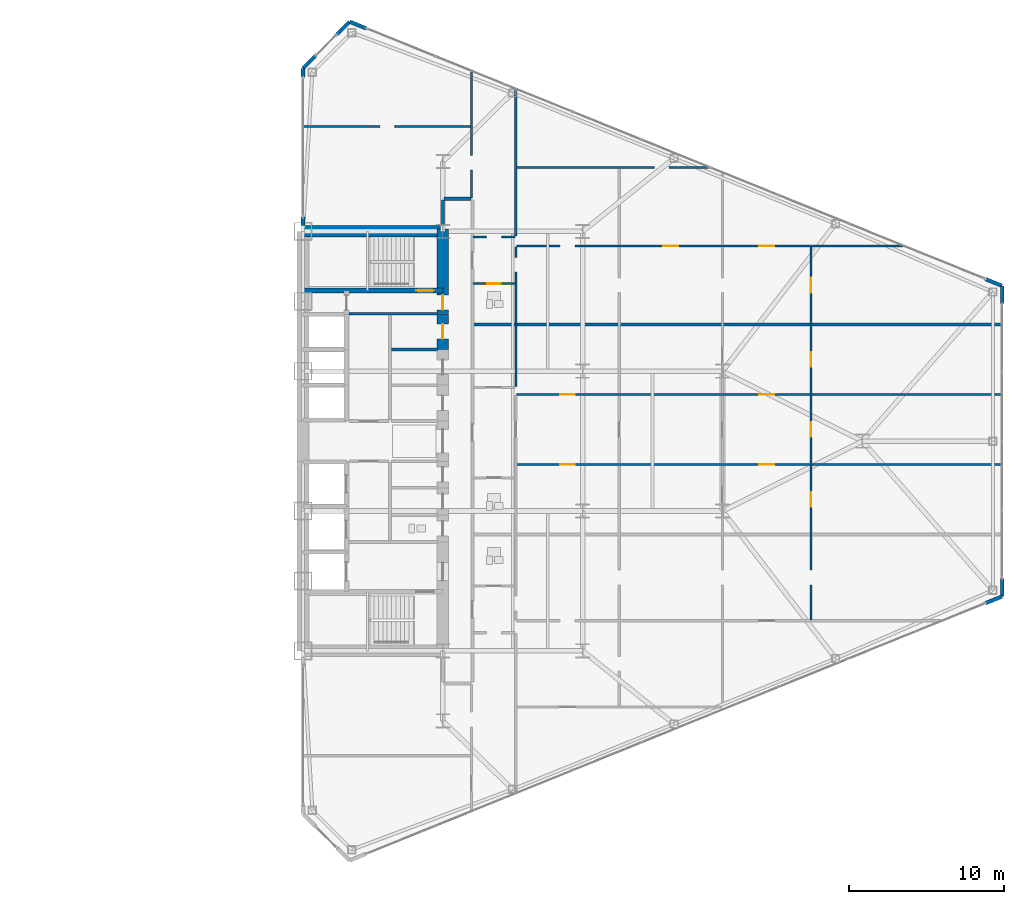
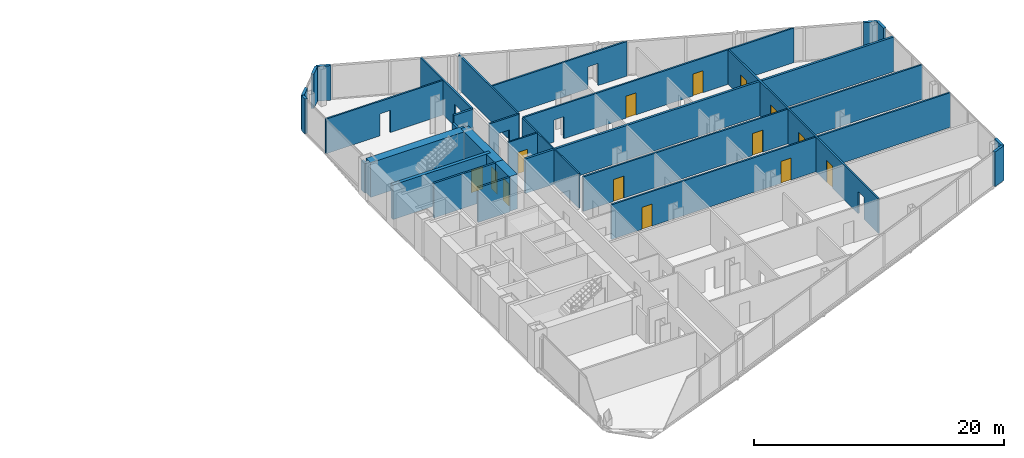
# One storey, part 22 of 25: 29 walls, 14 doors, 21 openings.
"""IFC4 building model written with IfcOpenShell, lengths in metres."""

import ifcopenshell
import ifcopenshell.guid

model = None  # the IFC model being written
_history = None  # IfcOwnerHistory: only IFC2X3 demands one
_inside = {}  # id of a spatial element -> (the spatial element, [elements in it])
_under = {}  # id of a project, library or spatial element -> (it, [spatial elements below it])
_declared = {}  # id of a project -> (the project, [libraries it declares])
_typed = {}  # id of a type object -> (the type object, [elements of that type])
_made_of = {}  # id of a material, layer set ... -> (it, [elements and type objects made of it])


def new_model(schema):
    """Start an empty IFC model of exactly this schema.

    Asked for "IFC4X3", IfcOpenShell would pick the latest addendum, in which some entities
    have other attributes; the version numbers below select the first issue.
    IFC2X3 requires an IfcOwnerHistory on every rooted entity: one is made here for all.
    """
    global model, _history
    if schema == "IFC4X3":
        model = ifcopenshell.file(schema_version=(4, 3, 0, 0))
    else:
        model = ifcopenshell.file(schema=schema)
    _inside.clear()
    _under.clear()
    _declared.clear()
    _typed.clear()
    _made_of.clear()
    _history = None
    if model.schema == "IFC2X3":
        org = make("IfcOrganization", Name="unknown")
        user = make(
            "IfcPersonAndOrganization",
            ThePerson=make("IfcPerson", FamilyName="unknown"),
            TheOrganization=org,
        )
        app = make(
            "IfcApplication",
            ApplicationDeveloper=org,
            Version="unknown",
            ApplicationFullName="unknown",
            ApplicationIdentifier="unknown",
        )
        _history = make(
            "IfcOwnerHistory",
            OwningUser=user,
            OwningApplication=app,
            ChangeAction="ADDED",
            CreationDate=0,
        )
    return model


def make(cls, **values):
    """One entity of the class cls with the attributes given. An attribute that is None is left unset."""
    return model.create_entity(
        cls, **{name: value for name, value in values.items() if value is not None}
    )


def rooted(cls, **values):
    """An entity with a GlobalId (a new one), such as an element, a storey or a relation."""
    return make(cls, GlobalId=ifcopenshell.guid.new(), OwnerHistory=_history, **values)


def si_unit(unit_type, name, prefix=None):
    """IfcSIUnit, for example si_unit("LENGTHUNIT", "METRE", prefix="MILLI")."""
    return make("IfcSIUnit", UnitType=unit_type, Prefix=prefix, Name=name)


def assignment(units):
    """IfcUnitAssignment: the units of a project."""
    return None if units is None else make("IfcUnitAssignment", Units=units)


def point(xyz):
    """IfcCartesianPoint."""
    return None if xyz is None else make("IfcCartesianPoint", Coordinates=xyz)


def direction(xyz):
    """IfcDirection."""
    return None if xyz is None else make("IfcDirection", DirectionRatios=xyz)


def frame(location, z_axis=None, x_axis=None):
    """IfcAxis2Placement3D, a coordinate frame: its origin and axes. An axis left out is left unset."""
    return make(
        "IfcAxis2Placement3D",
        Location=point(location),
        Axis=direction(z_axis),
        RefDirection=direction(x_axis),
    )


def frame_2d(location, x_axis=None):
    """IfcAxis2Placement2D, a coordinate frame in the plane: its origin and x axis."""
    return make(
        "IfcAxis2Placement2D", Location=point(location), RefDirection=direction(x_axis)
    )


def origin():
    """The frame at (0, 0, 0) with its axes left unset."""
    return frame((0.0, 0.0, 0.0))


def place(relative_to, where):
    """IfcLocalPlacement: puts the frame where relative to a parent placement (None: the world)."""
    return make(
        "IfcLocalPlacement", PlacementRelTo=relative_to, RelativePlacement=where
    )


def context(
    kind, dimensions, precision=None, world=None, true_north=None, identifier=None
):
    """IfcGeometricRepresentationContext, for example the 3D "Model" context."""
    return make(
        "IfcGeometricRepresentationContext",
        ContextIdentifier=identifier,
        ContextType=kind,
        CoordinateSpaceDimension=dimensions,
        Precision=precision,
        WorldCoordinateSystem=world,
        TrueNorth=true_north,
    )


def subcontext(parent, identifier, kind, view, scale=None):
    """IfcGeometricRepresentationSubContext, for example "Body" below "Model"."""
    return make(
        "IfcGeometricRepresentationSubContext",
        ContextIdentifier=identifier,
        ContextType=kind,
        ParentContext=parent,
        TargetScale=scale,
        TargetView=view,
    )


def project(units=None, contexts=None):
    """IfcProject with its units and contexts."""
    return rooted(
        "IfcProject",
        Name="project",
        RepresentationContexts=contexts,
        UnitsInContext=assignment(units),
    )


def spatial(cls, under=None, at=None, **own):
    """A site, building, storey or space (cls), placed at a placement, below another one or the project."""
    s = rooted(cls, ObjectPlacement=at, **own)
    if under is not None:
        _under.setdefault(under.id(), (under, []))[1].append(s)
    return s


def profile(cls, at=None, kind="AREA", **sizes):
    """A parametric profile (cls). Its sizes go by their IFC names, for example OverallWidth=200.0."""
    return make(cls, ProfileType=kind, Position=at, **sizes)


def rectangle(**sizes):
    """IfcRectangleProfileDef."""
    return profile("IfcRectangleProfileDef", **sizes)


def extrude(swept, where, along, depth):
    """IfcExtrudedAreaSolid: the profile swept, set in the frame where, extruded along a direction by depth."""
    return make(
        "IfcExtrudedAreaSolid",
        SweptArea=swept,
        Position=where,
        ExtrudedDirection=direction(along),
        Depth=depth,
    )


def shape(context_of_items, identifier, shape_type, items):
    """IfcShapeRepresentation: the items that make up one representation, for example the "Body"."""
    return make(
        "IfcShapeRepresentation",
        ContextOfItems=context_of_items,
        RepresentationIdentifier=identifier,
        RepresentationType=shape_type,
        Items=items,
    )


def source(mapping_origin, context_of_items, identifier, shape_type, items):
    """IfcRepresentationMap: a shape defined once, which mapped items show again and again."""
    return make(
        "IfcRepresentationMap",
        MappingOrigin=mapping_origin,
        MappedRepresentation=shape(context_of_items, identifier, shape_type, items),
    )


def transform(
    local_origin,
    x_axis=None,
    y_axis=None,
    z_axis=None,
    scale=None,
    scale2=None,
    scale3=None,
    uniform=True,
):
    """IfcCartesianTransformationOperator3D, or its non-uniform kind. x_axis, y_axis, z_axis: its Axis1, 2, 3."""
    if uniform:
        return make(
            "IfcCartesianTransformationOperator3D",
            Axis1=direction(x_axis),
            Axis2=direction(y_axis),
            LocalOrigin=point(local_origin),
            Scale=scale,
            Axis3=direction(z_axis),
        )
    return make(
        "IfcCartesianTransformationOperator3DnonUniform",
        Axis1=direction(x_axis),
        Axis2=direction(y_axis),
        LocalOrigin=point(local_origin),
        Scale=scale,
        Axis3=direction(z_axis),
        Scale2=scale2,
        Scale3=scale3,
    )


def mapped(mapping_source, mapping_target):
    """IfcMappedItem: shows the shape of a source again, moved by a transform."""
    return make(
        "IfcMappedItem", MappingSource=mapping_source, MappingTarget=mapping_target
    )


def material(Name=None, Category=None):
    """IfcMaterial."""
    return make("IfcMaterial", Name=Name, Category=Category)


def layer(
    of_material, thickness, ventilated=None, Name=None, Category=None, Priority=None
):
    """IfcMaterialLayer: one layer of a wall or slab, of a material (None: an air gap)."""
    return make(
        "IfcMaterialLayer",
        Material=of_material,
        LayerThickness=thickness,
        IsVentilated=ventilated,
        Name=Name,
        Category=Category,
        Priority=Priority,
    )


def layer_set(layers, Name=None):
    """IfcMaterialLayerSet."""
    return make("IfcMaterialLayerSet", MaterialLayers=layers, LayerSetName=Name)


def made_of(thing, what):
    """Note that an element or type object is made of a material, layer set ...; save() writes the relation."""
    if what is not None:
        _made_of.setdefault(what.id(), (what, []))[1].append(thing)
    return thing


def type_object(cls, material=None, **own):
    """A type object (cls), such as IfcWallType, which elements share."""
    return made_of(rooted(cls, **own), material)


def type_shapes(of_type, sources):
    """Give a type object the sources (RepresentationMaps) that its elements show as mapped items."""
    of_type.RepresentationMaps = sources


def element(
    cls,
    number,
    at=None,
    inside=None,
    cuts=None,
    type_object=None,
    material=None,
    context=None,
    identifier="Body",
    shape_type=None,
    held_by="IfcProductDefinitionShape",
    body=None,
    shapes=None,
    **own,
):
    """One element of the class cls, such as IfcWall. Its Tag is "e" and its number.

    at: its placement. inside: the storey or other place that contains it. cuts: it is an
    opening in that element (IfcRelVoidsElement). A single representation is given by context,
    identifier, shape_type and body (its items); several are given by shapes. held_by: the class
    of the entity that holds the representations. save() writes the other relations.
    """
    e = rooted(cls, Tag="e%d" % number, ObjectPlacement=at, **own)
    if body is not None:
        shapes = [shape(context, identifier, shape_type, body)]
    if shapes is not None:
        e.Representation = make(held_by, Representations=shapes)
    if inside is not None:
        _inside.setdefault(inside.id(), (inside, []))[1].append(e)
    if cuts is not None:
        rooted(
            "IfcRelVoidsElement", RelatingBuildingElement=cuts, RelatedOpeningElement=e
        )
    if type_object is not None:
        _typed.setdefault(type_object.id(), (type_object, []))[1].append(e)
    return made_of(e, material)


def fill(opening, filler):
    """IfcRelFillsElement: the door or window that sits in an opening."""
    return rooted(
        "IfcRelFillsElement",
        RelatingOpeningElement=opening,
        RelatedBuildingElement=filler,
    )


def aggregate(whole, parts):
    """IfcRelAggregates: a whole, such as a stair, and the parts it consists of."""
    return rooted("IfcRelAggregates", RelatingObject=whole, RelatedObjects=parts)


def save(model, path):
    """Write the relations noted so far, then the file.

    IfcRelAggregates (storeys below a building ...), IfcRelContainedInSpatialStructure (elements
    in a storey), IfcRelDefinesByType, IfcRelAssociatesMaterial and IfcRelDeclares: one each for
    every whole, place, type object, material and project.
    """
    for whole, parts in _under.values():
        aggregate(whole, parts)
    for where, things in _inside.values():
        rooted(
            "IfcRelContainedInSpatialStructure",
            RelatedElements=things,
            RelatingStructure=where,
        )
    for kind, things in _typed.values():
        rooted("IfcRelDefinesByType", RelatedObjects=things, RelatingType=kind)
    for what, things in _made_of.values():
        rooted("IfcRelAssociatesMaterial", RelatedObjects=things, RelatingMaterial=what)
    for by, libraries in _declared.values():
        rooted("IfcRelDeclares", RelatingContext=by, RelatedDefinitions=libraries)
    model.write(path)


model = new_model("IFC4")

# Units and contexts
model_context = context("Model", 3, precision=1e-05, world=origin(), true_north=direction((0.0, 1.0)))
body_context = subcontext(model_context, "Body", "Model", "MODEL_VIEW")
ifc_project = project(units=[si_unit("LENGTHUNIT", "METRE"), si_unit("AREAUNIT", "SQUARE_METRE"), si_unit("VOLUMEUNIT", "CUBIC_METRE"), si_unit("PLANEANGLEUNIT", "RADIAN"), si_unit("MASSUNIT", "GRAM", prefix="KILO")], contexts=[model_context])

# Site, building, storey
site_placement = place(None, origin())
site = spatial("IfcSite", under=ifc_project, at=site_placement, CompositionType="ELEMENT")
building_placement = place(site_placement, origin())
building = spatial("IfcBuilding", under=site, at=building_placement, Name="Seokmaru Belvedere", CompositionType="ELEMENT")
storey_placement = place(building_placement, frame((0.0, 0.0, 33.300048828125)))
storey = spatial("IfcBuildingStorey", under=building, at=storey_placement, Name="L08", CompositionType="ELEMENT", Elevation=33.300048828125)

# Wall, openings, doors
ifc_material_1 = material(Name="Fire-Rated Gypsum Shaftwall")
ifc_layer_1 = layer(ifc_material_1, 0.14990234375)
ifc_layer_set_1 = layer_set([ifc_layer_1], Name="Fire-Rated Gypsum Shaftwall")
wall_type_1 = type_object("IfcWallType", Name="Apartment Fire-Acoustic Room Partition 150", PredefinedType="PARTITIONING", material=ifc_layer_set_1)
wall_1_placement = place(storey_placement, frame((41.25, -1.5, 0.0), z_axis=(0.0, 0.0, 1.0), x_axis=(1.0, 0.0, 0.0)))
wall_1 = element("IfcWall", 1, at=wall_1_placement, inside=storey, type_object=wall_type_1, Name="L08 Interior Partition 019", PredefinedType="PARTITIONING", context=body_context, shape_type="SweptSolid", body=[
    extrude(rectangle(XDim=31.284912109375, YDim=0.14990234375, at=frame_2d((15.642578125, 0.0))), origin(), (0.0, 0.0, 1.0), 3.3798828125),
])
opening_1_placement = place(wall_1_placement, frame((2.800048828125, 0.0, 0.0)))
opening_1 = element("IfcOpeningElement", 2, at=opening_1_placement, cuts=wall_1, Name="Opening D05", PredefinedType="OPENING", context=body_context, shape_type="SweptSolid", body=[
    extrude(rectangle(XDim=0.949951171875, YDim=2.14990234375, at=frame_2d((0.47509765625, 1.074951171875))), frame((0.0, 0.0849609375, 0.0), z_axis=(0.0, -1.0, 0.0), x_axis=(1.0, 0.0, 0.0)), (0.0, 0.0, 1.0), 0.169921875),
])
opening_2_placement = place(wall_1_placement, frame((15.625, 0.0, 0.0)))
opening_2 = element("IfcOpeningElement", 3, at=opening_2_placement, cuts=wall_1, Name="Opening D05", PredefinedType="OPENING", context=body_context, shape_type="SweptSolid", body=[
    extrude(rectangle(XDim=0.949951171875, YDim=2.14990234375, at=frame_2d((0.47509765625, 1.074951171875))), frame((0.0, 0.0849609375, 0.0), z_axis=(0.0, -1.0, 0.0), x_axis=(1.0, 0.0, 0.0)), (0.0, 0.0, 1.0), 0.169921875),
])
ifc_material_2 = material(Name="Engineered White Oak Timber", Category="wood")
door_type_1 = type_object("IfcDoorType", Name="Apartment Interior Fire-Rated Oak Door 950x2150", OperationType="NOTDEFINED", PredefinedType="DOOR", material=ifc_material_2)
shared_shape_1 = source(origin(), body_context, "Body", "SweptSolid", [
    extrude(rectangle(XDim=0.949951171875, YDim=2.14990234375, at=frame_2d((0.47509765625, 1.074951171875))), frame((0.0, 0.02490234375, 0.0), z_axis=(0.0, -1.0, 0.0), x_axis=(1.0, 0.0, 0.0)), (0.0, 0.0, 1.0), 0.050048828125),
])
type_shapes(door_type_1, [shared_shape_1])
door_1_placement = place(opening_1_placement, origin())
door_1 = element("IfcDoor", 4, at=door_1_placement, inside=storey, type_object=door_type_1, Name="L08 Interior Door 055", OperationType="SINGLE_SWING_RIGHT", OverallHeight=2.14990234375, OverallWidth=0.949951171875, PredefinedType="DOOR", context=body_context, shape_type="MappedRepresentation", body=[
    mapped(shared_shape_1, transform((0.0, 0.0, 0.0), scale=1.0)),
])
fill(opening_1, door_1)
door_2_placement = place(opening_2_placement, origin())
door_2 = element("IfcDoor", 5, at=door_2_placement, inside=storey, type_object=door_type_1, Name="L08 Interior Door 059", OperationType="SINGLE_SWING_RIGHT", OverallHeight=2.14990234375, OverallWidth=0.949951171875, PredefinedType="DOOR", context=body_context, shape_type="MappedRepresentation", body=[
    mapped(shared_shape_1, transform((0.0, 0.0, 0.0), scale=1.0)),
])
fill(opening_2, door_2)

wall_2_placement = place(storey_placement, frame((41.25, 3.0, 0.0), z_axis=(0.0, 0.0, 1.0), x_axis=(1.0, 0.0, 0.0)))
wall_2 = element("IfcWall", 6, at=wall_2_placement, inside=storey, type_object=wall_type_1, Name="L08 Interior Partition 021", PredefinedType="PARTITIONING", context=body_context, shape_type="SweptSolid", body=[
    extrude(rectangle(XDim=31.284912109375, YDim=0.14990234375, at=frame_2d((15.642578125, 0.0))), origin(), (0.0, 0.0, 1.0), 3.3798828125),
])
opening_3_placement = place(wall_2_placement, frame((2.800048828125, 0.0, 0.0)))
opening_3 = element("IfcOpeningElement", 7, at=opening_3_placement, cuts=wall_2, Name="Opening D05", PredefinedType="OPENING", context=body_context, shape_type="SweptSolid", body=[
    extrude(rectangle(XDim=0.949951171875, YDim=2.14990234375, at=frame_2d((0.47509765625, 1.074951171875))), frame((0.0, 0.0849609375, 0.0), z_axis=(0.0, -1.0, 0.0), x_axis=(1.0, 0.0, 0.0)), (0.0, 0.0, 1.0), 0.169921875),
])
opening_4_placement = place(wall_2_placement, frame((15.625, 0.0, 0.0)))
opening_4 = element("IfcOpeningElement", 8, at=opening_4_placement, cuts=wall_2, Name="Opening D05", PredefinedType="OPENING", context=body_context, shape_type="SweptSolid", body=[
    extrude(rectangle(XDim=0.949951171875, YDim=2.14990234375, at=frame_2d((0.47509765625, 1.074951171875))), frame((0.0, 0.0849609375, 0.0), z_axis=(0.0, -1.0, 0.0), x_axis=(1.0, 0.0, 0.0)), (0.0, 0.0, 1.0), 0.169921875),
])
door_3_placement = place(opening_3_placement, origin())
door_3 = element("IfcDoor", 9, at=door_3_placement, inside=storey, type_object=door_type_1, Name="L08 Interior Door 057", OperationType="SINGLE_SWING_LEFT", OverallHeight=2.14990234375, OverallWidth=0.949951171875, PredefinedType="DOOR", context=body_context, shape_type="MappedRepresentation", body=[
    mapped(shared_shape_1, transform((0.0, 0.0, 0.0), scale=1.0)),
])
fill(opening_3, door_3)
door_4_placement = place(opening_4_placement, origin())
door_4 = element("IfcDoor", 10, at=door_4_placement, inside=storey, type_object=door_type_1, Name="L08 Interior Door 062", OperationType="SINGLE_SWING_RIGHT", OverallHeight=2.14990234375, OverallWidth=0.949951171875, PredefinedType="DOOR", context=body_context, shape_type="MappedRepresentation", body=[
    mapped(shared_shape_1, transform((0.0, 0.0, 0.0), scale=1.0)),
])
fill(opening_4, door_4)

wall_3_placement = place(storey_placement, frame((41.25, 12.56005859375, 0.0), z_axis=(0.0, 0.0, 1.0), x_axis=(1.0, 0.0, 0.0)))
wall_3 = element("IfcWall", 11, at=wall_3_placement, inside=storey, type_object=wall_type_1, Name="L08 Interior Partition 029", PredefinedType="PARTITIONING", context=body_context, shape_type="SweptSolid", body=[
    extrude(rectangle(XDim=24.968994140625, YDim=0.14990234375, at=frame_2d((12.484375, 0.0))), origin(), (0.0, 0.0, 1.0), 3.3798828125),
])
opening_5_placement = place(wall_3_placement, frame((2.800048828125, 0.0, 0.0)))
element("IfcOpeningElement", 12, at=opening_5_placement, cuts=wall_3, Name="L08 Cased Opening 071", PredefinedType="OPENING", context=body_context, shape_type="SweptSolid", body=[
    extrude(rectangle(XDim=0.949951171875, YDim=2.14990234375, at=frame_2d((0.47509765625, 1.074951171875))), frame((0.0, 0.0849609375, 0.0), z_axis=(0.0, -1.0, 0.0), x_axis=(1.0, 0.0, 0.0)), (0.0, 0.0, 1.0), 0.169921875),
])
opening_6_placement = place(wall_3_placement, frame((15.625, 0.0, 0.0)))
opening_6 = element("IfcOpeningElement", 13, at=opening_6_placement, cuts=wall_3, Name="Opening D05", PredefinedType="OPENING", context=body_context, shape_type="SweptSolid", body=[
    extrude(rectangle(XDim=0.949951171875, YDim=2.14990234375, at=frame_2d((0.47509765625, 1.074951171875))), frame((0.0, 0.0849609375, 0.0), z_axis=(0.0, -1.0, 0.0), x_axis=(1.0, 0.0, 0.0)), (0.0, 0.0, 1.0), 0.169921875),
])
opening_7_placement = place(wall_3_placement, frame((9.449951171875, 0.0, 0.0)))
opening_7 = element("IfcOpeningElement", 14, at=opening_7_placement, cuts=wall_3, Name="Opening D05", PredefinedType="OPENING", context=body_context, shape_type="SweptSolid", body=[
    extrude(rectangle(XDim=0.949951171875, YDim=2.14990234375, at=frame_2d((0.47509765625, 1.074951171875))), frame((0.0, 0.0849609375, 0.0), z_axis=(0.0, -1.0, 0.0), x_axis=(1.0, 0.0, 0.0)), (0.0, 0.0, 1.0), 0.169921875),
])
door_5_placement = place(opening_6_placement, origin())
door_5 = element("IfcDoor", 15, at=door_5_placement, inside=storey, type_object=door_type_1, Name="L08 Interior Door 074", OperationType="SINGLE_SWING_LEFT", OverallHeight=2.14990234375, OverallWidth=0.949951171875, PredefinedType="DOOR", context=body_context, shape_type="MappedRepresentation", body=[
    mapped(shared_shape_1, transform((0.0, 0.0, 0.0), scale=1.0)),
])
fill(opening_6, door_5)
door_6_placement = place(opening_7_placement, origin())
door_6 = element("IfcDoor", 16, at=door_6_placement, inside=storey, type_object=door_type_1, Name="L08 Interior Door 075", OperationType="SINGLE_SWING_LEFT", OverallHeight=2.14990234375, OverallWidth=0.949951171875, PredefinedType="DOOR", context=body_context, shape_type="MappedRepresentation", body=[
    mapped(shared_shape_1, transform((0.0, 0.0, 0.0), scale=1.0)),
])
fill(opening_7, door_6)

# Wall, opening
wall_4_placement = place(storey_placement, frame((38.449951171875, 13.139892578125, 0.0), z_axis=(0.0, 0.0, 1.0), x_axis=(1.0, 0.0, 0.0)))
wall_4 = element("IfcWall", 17, at=wall_4_placement, inside=storey, type_object=wall_type_1, Name="L08 Interior Partition 030", PredefinedType="PARTITIONING", context=body_context, shape_type="SweptSolid", body=[
    extrude(rectangle(XDim=2.699951171875, YDim=0.14990234375, at=frame_2d((1.35009765625, 0.0))), origin(), (0.0, 0.0, 1.0), 3.3798828125),
])
opening_8_placement = place(wall_4_placement, frame((0.875, 0.0, 0.0)))
element("IfcOpeningElement", 18, at=opening_8_placement, cuts=wall_4, Name="L08 Cased Opening 068", PredefinedType="OPENING", context=body_context, shape_type="SweptSolid", body=[
    extrude(rectangle(XDim=0.949951171875, YDim=2.14990234375, at=frame_2d((0.47509765625, 1.074951171875))), frame((0.0, 0.0849609375, 0.0), z_axis=(0.0, -1.0, 0.0), x_axis=(1.0, 0.0, 0.0)), (0.0, 0.0, 1.0), 0.169921875),
])

wall_5_placement = place(storey_placement, frame((41.25, 17.610107421875, 0.0), z_axis=(0.0, 0.0, 1.0), x_axis=(1.0, 0.0, 0.0)))
wall_5 = element("IfcWall", 19, at=wall_5_placement, inside=storey, type_object=wall_type_1, Name="L08 Interior Partition 036", PredefinedType="PARTITIONING", context=body_context, shape_type="SweptSolid", body=[
    extrude(rectangle(XDim=12.47705078125, YDim=0.14990234375, at=frame_2d((6.238525390625, 0.0))), origin(), (0.0, 0.0, 1.0), 3.3798828125),
])
opening_9_placement = place(wall_5_placement, frame((8.859619140625, 0.0, 0.0)))
element("IfcOpeningElement", 20, at=opening_9_placement, cuts=wall_5, Name="L08 Cased Opening 076", PredefinedType="OPENING", context=body_context, shape_type="SweptSolid", body=[
    extrude(rectangle(XDim=0.949951171875, YDim=2.14990234375, at=frame_2d((0.47509765625, 1.074951171875))), frame((0.0, 0.0849609375, 0.0), z_axis=(0.0, -1.0, 0.0), x_axis=(1.0, 0.0, 0.0)), (0.0, 0.0, 1.0), 0.169921875),
])

wall_6_placement = place(storey_placement, frame((27.465087890625, 20.25, 0.0), z_axis=(0.0, 0.0, 1.0), x_axis=(1.0, 0.0, 0.0)))
wall_6 = element("IfcWall", 21, at=wall_6_placement, inside=storey, type_object=wall_type_1, Name="L08 Interior Partition 038", PredefinedType="PARTITIONING", context=body_context, shape_type="SweptSolid", body=[
    extrude(rectangle(XDim=10.8349609375, YDim=0.14990234375, at=frame_2d((5.41748046875, 0.0))), origin(), (0.0, 0.0, 1.0), 3.3798828125),
])
opening_10_placement = place(wall_6_placement, frame((4.985107421875, 0.0, 0.0)))
element("IfcOpeningElement", 22, at=opening_10_placement, cuts=wall_6, Name="L08 Cased Opening 078", PredefinedType="OPENING", context=body_context, shape_type="SweptSolid", body=[
    extrude(rectangle(XDim=0.949951171875, YDim=2.14990234375, at=frame_2d((0.47509765625, 1.074951171875))), frame((0.0, 0.0849609375, 0.0), z_axis=(0.0, -1.0, 0.0), x_axis=(1.0, 0.0, 0.0)), (0.0, 0.0, 1.0), 0.169921875),
])

wall_7_placement = place(storey_placement, frame((38.35009765625, 15.64990234375, 0.0), z_axis=(0.0, 0.0, 1.0), x_axis=(0.0, 1.0, 0.0)))
wall_7 = element("IfcWall", 23, at=wall_7_placement, inside=storey, type_object=wall_type_1, Name="L08 Interior Partition 053", PredefinedType="PARTITIONING", context=body_context, shape_type="SweptSolid", body=[
    extrude(rectangle(XDim=8.2080078125, YDim=0.14990234375, at=frame_2d((4.10400390625, 0.0))), origin(), (0.0, 0.0, 1.0), 3.3798828125),
])
opening_11_placement = place(wall_7_placement, frame((1.800048828125, 0.0, 0.0)))
element("IfcOpeningElement", 24, at=opening_11_placement, cuts=wall_7, Name="L08 Cased Opening 077", PredefinedType="OPENING", context=body_context, shape_type="SweptSolid", body=[
    extrude(rectangle(XDim=0.949951171875, YDim=2.14990234375, at=frame_2d((0.47509765625, 1.074951171875))), frame((0.0, 0.0849609375, 0.0), z_axis=(0.0, -1.0, 0.0), x_axis=(1.0, 0.0, 0.0)), (0.0, 0.0, 1.0), 0.169921875),
])

# Wall
wall_8_placement = place(storey_placement, frame((41.199951171875, 13.195068359375, 0.0), z_axis=(0.0, 0.0, 1.0), x_axis=(0.0, 1.0, 0.0)))
element("IfcWall", 25, at=wall_8_placement, inside=storey, type_object=wall_type_1, Name="L08 Interior Partition 058", PredefinedType="PARTITIONING", context=body_context, shape_type="SweptSolid", body=[
    extrude(rectangle(XDim=9.509033203125, YDim=0.14990234375, at=frame_2d((4.75439453125, 0.0))), origin(), (0.0, 0.0, 1.0), 3.3798828125),
])

# Wall, openings, doors
wall_9_placement = place(storey_placement, frame((60.199951171875, -11.506103515625, 0.0), z_axis=(0.0, 0.0, 1.0), x_axis=(0.0, 1.0, 0.0)))
wall_9 = element("IfcWall", 26, at=wall_9_placement, inside=storey, type_object=wall_type_1, Name="L08 Interior Partition 061", PredefinedType="PARTITIONING", context=body_context, shape_type="SweptSolid", body=[
    extrude(rectangle(XDim=24.01220703125, YDim=0.14990234375, at=frame_2d((12.006103515625, 0.0))), origin(), (0.0, 0.0, 1.0), 3.3798828125),
])
opening_12_placement = place(wall_9_placement, frame((2.2529296875, 0.0, 0.0)))
element("IfcOpeningElement", 27, at=opening_12_placement, cuts=wall_9, Name="L08 Cased Opening 046", PredefinedType="OPENING", context=body_context, shape_type="SweptSolid", body=[
    extrude(rectangle(XDim=0.949951171875, YDim=2.14990234375, at=frame_2d((0.47509765625, 1.074951171875))), frame((0.0, 0.0849609375, 0.0), z_axis=(0.0, -1.0, 0.0), x_axis=(1.0, 0.0, 0.0)), (0.0, 0.0, 1.0), 0.169921875),
])
opening_13_placement = place(wall_9_placement, frame((7.281005859375, 0.0, 0.0)))
opening_13 = element("IfcOpeningElement", 28, at=opening_13_placement, cuts=wall_9, Name="Opening D05", PredefinedType="OPENING", context=body_context, shape_type="SweptSolid", body=[
    extrude(rectangle(XDim=0.949951171875, YDim=2.14990234375, at=frame_2d((0.47509765625, 1.074951171875))), frame((0.0, 0.0849609375, 0.0), z_axis=(0.0, -1.0, 0.0), x_axis=(1.0, 0.0, 0.0)), (0.0, 0.0, 1.0), 0.169921875),
])
opening_14_placement = place(wall_9_placement, frame((11.781005859375, 0.0, 0.0)))
opening_14 = element("IfcOpeningElement", 29, at=opening_14_placement, cuts=wall_9, Name="Opening D05", PredefinedType="OPENING", context=body_context, shape_type="SweptSolid", body=[
    extrude(rectangle(XDim=0.949951171875, YDim=2.14990234375, at=frame_2d((0.47509765625, 1.074951171875))), frame((0.0, 0.0849609375, 0.0), z_axis=(0.0, -1.0, 0.0), x_axis=(1.0, 0.0, 0.0)), (0.0, 0.0, 1.0), 0.169921875),
])
opening_15_placement = place(wall_9_placement, frame((16.281005859375, 0.0, 0.0)))
opening_15 = element("IfcOpeningElement", 30, at=opening_15_placement, cuts=wall_9, Name="Opening D05", PredefinedType="OPENING", context=body_context, shape_type="SweptSolid", body=[
    extrude(rectangle(XDim=0.949951171875, YDim=2.14990234375, at=frame_2d((0.47509765625, 1.074951171875))), frame((0.0, 0.0849609375, 0.0), z_axis=(0.0, -1.0, 0.0), x_axis=(1.0, 0.0, 0.0)), (0.0, 0.0, 1.0), 0.169921875),
])
opening_16_placement = place(wall_9_placement, frame((21.05908203125, 0.0, 0.0)))
opening_16 = element("IfcOpeningElement", 31, at=opening_16_placement, cuts=wall_9, Name="Opening D05", PredefinedType="OPENING", context=body_context, shape_type="SweptSolid", body=[
    extrude(rectangle(XDim=0.949951171875, YDim=2.14990234375, at=frame_2d((0.47509765625, 1.074951171875))), frame((0.0, 0.0849609375, 0.0), z_axis=(0.0, -1.0, 0.0), x_axis=(1.0, 0.0, 0.0)), (0.0, 0.0, 1.0), 0.169921875),
])
door_7_placement = place(opening_13_placement, origin())
door_7 = element("IfcDoor", 32, at=door_7_placement, inside=storey, type_object=door_type_1, Name="L08 Interior Door 060", OperationType="SINGLE_SWING_LEFT", OverallHeight=2.14990234375, OverallWidth=0.949951171875, PredefinedType="DOOR", context=body_context, shape_type="MappedRepresentation", body=[
    mapped(shared_shape_1, transform((0.0, 0.0, 0.0), scale=1.0)),
])
fill(opening_13, door_7)
door_8_placement = place(opening_14_placement, origin())
door_8 = element("IfcDoor", 33, at=door_8_placement, inside=storey, type_object=door_type_1, Name="L08 Interior Door 061", OperationType="SINGLE_SWING_LEFT", OverallHeight=2.14990234375, OverallWidth=0.949951171875, PredefinedType="DOOR", context=body_context, shape_type="MappedRepresentation", body=[
    mapped(shared_shape_1, transform((0.0, 0.0, 0.0), scale=1.0)),
])
fill(opening_14, door_8)
door_9_placement = place(opening_15_placement, origin())
door_9 = element("IfcDoor", 34, at=door_9_placement, inside=storey, type_object=door_type_1, Name="L08 Interior Door 063", OperationType="SINGLE_SWING_LEFT", OverallHeight=2.14990234375, OverallWidth=0.949951171875, PredefinedType="DOOR", context=body_context, shape_type="MappedRepresentation", body=[
    mapped(shared_shape_1, transform((0.0, 0.0, 0.0), scale=1.0)),
])
fill(opening_15, door_9)
door_10_placement = place(opening_16_placement, origin())
door_10 = element("IfcDoor", 35, at=door_10_placement, inside=storey, type_object=door_type_1, Name="L08 Interior Door 073", OperationType="SINGLE_SWING_LEFT", OverallHeight=2.14990234375, OverallWidth=0.949951171875, PredefinedType="DOOR", context=body_context, shape_type="MappedRepresentation", body=[
    mapped(shared_shape_1, transform((0.0, 0.0, 0.0), scale=1.0)),
])
fill(opening_16, door_10)

# Walls
ifc_layer_2 = layer(ifc_material_1, 0.179931640625)
ifc_layer_set_2 = layer_set([ifc_layer_2], Name="Fire-Rated Gypsum Shaftwall")
wall_type_2 = type_object("IfcWallType", Name="Core Service Fire Partition 180", PredefinedType="PARTITIONING", material=ifc_layer_set_2)
wall_10_placement = place(storey_placement, frame((30.449951171875, 8.199951171875, 0.0), z_axis=(0.0, 0.0, 1.0), x_axis=(1.0, 0.0, 0.0)))
element("IfcWall", 36, at=wall_10_placement, inside=storey, type_object=wall_type_2, Name="L08 East Smokeproof Vestibule Partition", PredefinedType="PARTITIONING", context=body_context, shape_type="SweptSolid", body=[
    extrude(rectangle(XDim=5.699951171875, YDim=0.179931640625, at=frame_2d((2.85009765625, 0.0))), origin(), (0.0, 0.0, 1.0), 3.3798828125),
])
wall_11_placement = place(storey_placement, frame((33.199951171875, 5.89990234375, 0.0), z_axis=(0.0, 0.0, 1.0), x_axis=(1.0, 0.0, 0.0)))
element("IfcWall", 37, at=wall_11_placement, inside=storey, type_object=wall_type_2, Name="L08 East Core Service Partition 4", PredefinedType="PARTITIONING", context=body_context, shape_type="SweptSolid", body=[
    extrude(rectangle(XDim=2.949951171875, YDim=0.179931640625, at=frame_2d((1.47509765625, 0.0))), origin(), (0.0, 0.0, 1.0), 3.3798828125),
])
ifc_layer_3 = layer(ifc_material_1, 0.199951171875)
ifc_layer_set_3 = layer_set([ifc_layer_3], Name="Fire-Rated Gypsum Shaftwall")
wall_type_3 = type_object("IfcWallType", Name="Inter-Tenancy Fire Compartment Partition 200", PredefinedType="PARTITIONING", material=ifc_layer_set_3)
wall_12_placement = place(storey_placement, frame((38.47998046875, 7.5, 0.0), z_axis=(0.0, 0.0, 1.0), x_axis=(1.0, 0.0, 0.0)))
element("IfcWall", 38, at=wall_12_placement, inside=storey, type_object=wall_type_3, Name="L08 Interior Partition 025", PredefinedType="PARTITIONING", context=body_context, shape_type="SweptSolid", body=[
    extrude(rectangle(XDim=34.02490234375, YDim=0.199951171875, at=frame_2d((17.012451171875, 0.0))), origin(), (0.0, 0.0, 1.0), 3.3798828125),
])
wall_13_placement = place(storey_placement, frame((36.5849609375, 15.60009765625, 0.0), z_axis=(0.0, 0.0, 1.0), x_axis=(1.0, 0.0, 0.0)))
element("IfcWall", 39, at=wall_13_placement, inside=storey, type_object=wall_type_3, Name="L08 Interior Partition 033", PredefinedType="PARTITIONING", context=body_context, shape_type="SweptSolid", body=[
    extrude(rectangle(XDim=1.72998046875, YDim=0.199951171875, at=frame_2d((0.864990234375, 0.0))), origin(), (0.0, 0.0, 1.0), 3.3798828125),
])
wall_14_placement = place(storey_placement, frame((36.5, 13.8798828125, 0.0), z_axis=(0.0, 0.0, 1.0), x_axis=(0.0, 1.0, 0.0)))
element("IfcWall", 40, at=wall_14_placement, inside=storey, type_object=wall_type_3, Name="L08 Interior Partition 051", PredefinedType="PARTITIONING", context=body_context, shape_type="SweptSolid", body=[
    extrude(rectangle(XDim=1.635009765625, YDim=0.199951171875, at=frame_2d((0.8173828125, 0.0))), origin(), (0.0, 0.0, 1.0), 2.679931640625),
])

# Wall, opening, door
ifc_material_3 = material(Name="Concrete C50 (50 MPa)", Category="concrete")
ifc_layer_4 = layer(ifc_material_3, 0.300048828125)
ifc_layer_set_4 = layer_set([ifc_layer_4], Name="Concrete C50 (50 MPa)")
wall_type_4 = type_object("IfcWallType", Name="Internal Core Stair and Hoistway Wall 300", PredefinedType="SHEAR", material=ifc_layer_set_4)
wall_15_placement = place(storey_placement, frame((27.5, 9.699951171875, 0.0), z_axis=(0.0, 0.0, 1.0), x_axis=(1.0, 0.0, 0.0)))
wall_15 = element("IfcWall", 41, at=wall_15_placement, inside=storey, type_object=wall_type_4, Name="L08 East Stair ST-2 Enclosure Wall", PredefinedType="SHEAR", context=body_context, shape_type="SweptSolid", body=[
    extrude(rectangle(XDim=9.0, YDim=0.300048828125, at=frame_2d((4.5, 0.0))), origin(), (0.0, 0.0, 1.0), 3.3798828125),
])
opening_17_placement = place(wall_15_placement, frame((7.300048828125, 0.0, 0.0)))
opening_17 = element("IfcOpeningElement", 42, at=opening_17_placement, cuts=wall_15, Name="Opening D01", PredefinedType="OPENING", context=body_context, shape_type="SweptSolid", body=[
    extrude(rectangle(XDim=1.10009765625, YDim=2.199951171875, at=frame_2d((0.550048828125, 1.10009765625))), frame((0.0, 0.16015625, 0.0), z_axis=(0.0, -1.0, 0.0), x_axis=(1.0, 0.0, 0.0)), (0.0, 0.0, 1.0), 0.320068359375),
])
ifc_material_4 = material(Name="Fire-Rated Steel Leaf", Category="steel")
door_type_2 = type_object("IfcDoorType", Name="Special Escape Stair Smokeproof Fire Door 1100x2200", OperationType="NOTDEFINED", PredefinedType="DOOR", material=ifc_material_4)
shared_shape_2 = source(origin(), body_context, "Body", "SweptSolid", [
    extrude(rectangle(XDim=1.10009765625, YDim=2.199951171875, at=frame_2d((0.550048828125, 1.10009765625))), frame((0.0, 0.02490234375, 0.0), z_axis=(0.0, -1.0, 0.0), x_axis=(1.0, 0.0, 0.0)), (0.0, 0.0, 1.0), 0.050048828125),
])
type_shapes(door_type_2, [shared_shape_2])
door_11_placement = place(opening_17_placement, origin())
door_11 = element("IfcDoor", 43, at=door_11_placement, inside=storey, type_object=door_type_2, Name="L08 East Special Escape Stair ST-2 Door", OperationType="SINGLE_SWING_LEFT", OverallHeight=2.199951171875, OverallWidth=1.10009765625, PredefinedType="DOOR", context=body_context, shape_type="MappedRepresentation", body=[
    mapped(shared_shape_2, transform((0.0, 0.0, 0.0), scale=1.0)),
])
fill(opening_17, door_11)

# Wall
ifc_material_5 = material(Name="Concrete C60 (60 MPa)", Category="concrete")
ifc_layer_5 = layer(ifc_material_5, 0.75)
ifc_layer_set_5 = layer_set([ifc_layer_5], Name="Concrete C60 (60 MPa)")
wall_type_5 = type_object("IfcWallType", Name="Lower Tower Reinforced Concrete Core Wall 750", PredefinedType="SHEAR", material=ifc_layer_set_5)
wall_16_placement = place(storey_placement, frame((27.5, 13.5, 0.0), z_axis=(0.0, 0.0, 1.0), x_axis=(1.0, 0.0, 0.0)))
element("IfcWall", 44, at=wall_16_placement, inside=storey, type_object=wall_type_5, Name="L08 East North Core Wall", PredefinedType="SHEAR", context=body_context, shape_type="SweptSolid", body=[
    extrude(rectangle(XDim=9.0, YDim=0.75, at=frame_2d((4.5, 0.0))), origin(), (0.0, 0.0, 1.0), 3.3798828125),
])

# Wall, opening, door
wall_17_placement = place(storey_placement, frame((36.5, 8.199951171875, 0.0), z_axis=(0.0, 0.0, 1.0), x_axis=(0.0, 1.0, 0.0)))
wall_17 = element("IfcWall", 45, at=wall_17_placement, inside=storey, type_object=wall_type_5, Name="L08 East West Core Wall VST", PredefinedType="SHEAR", context=body_context, shape_type="SweptSolid", body=[
    extrude(rectangle(XDim=5.449951171875, YDim=0.75, at=frame_2d((2.72509765625, 0.0))), origin(), (0.0, 0.0, 1.0), 3.3798828125),
])
opening_18_placement = place(wall_17_placement, frame((0.2451171875, 0.0, 0.0)))
opening_18 = element("IfcOpeningElement", 46, at=opening_18_placement, cuts=wall_17, Name="Opening D04", PredefinedType="OPENING", context=body_context, shape_type="SweptSolid", body=[
    extrude(rectangle(XDim=0.949951171875, YDim=2.14990234375, at=frame_2d((0.47509765625, 1.074951171875))), frame((0.0, 0.385009765625, 0.0), z_axis=(0.0, -1.0, 0.0), x_axis=(1.0, 0.0, 0.0)), (0.0, 0.0, 1.0), 0.77001953125),
])
door_type_3 = type_object("IfcDoorType", Name="Core Service Room Fire Door 950x2150", OperationType="NOTDEFINED", PredefinedType="DOOR", material=ifc_material_4)
shared_shape_3 = source(origin(), body_context, "Body", "SweptSolid", [
    extrude(rectangle(XDim=0.949951171875, YDim=2.14990234375, at=frame_2d((0.47509765625, 1.074951171875))), frame((0.0, 0.02490234375, 0.0), z_axis=(0.0, -1.0, 0.0), x_axis=(1.0, 0.0, 0.0)), (0.0, 0.0, 1.0), 0.050048828125),
])
type_shapes(door_type_3, [shared_shape_3])
door_12_placement = place(opening_18_placement, origin())
door_12 = element("IfcDoor", 47, at=door_12_placement, inside=storey, type_object=door_type_3, Name="L08 East Smokeproof Vestibule Door", OperationType="SINGLE_SWING_LEFT", OverallHeight=2.14990234375, OverallWidth=0.949951171875, PredefinedType="DOOR", context=body_context, shape_type="MappedRepresentation", body=[
    mapped(shared_shape_3, transform((0.0, 0.0, 0.0), scale=1.0)),
])
fill(opening_18, door_12)

wall_18_placement = place(storey_placement, frame((36.5, 5.89990234375, 0.0), z_axis=(0.0, 0.0, 1.0), x_axis=(0.0, 1.0, 0.0)))
wall_18 = element("IfcWall", 48, at=wall_18_placement, inside=storey, type_object=wall_type_5, Name="L08 East West Core Wall CS6", PredefinedType="SHEAR", context=body_context, shape_type="SweptSolid", body=[
    extrude(rectangle(XDim=2.300048828125, YDim=0.75, at=frame_2d((1.14990234375, 0.0))), origin(), (0.0, 0.0, 1.0), 3.3798828125),
])
opening_19_placement = place(wall_18_placement, frame((0.675048828125, 0.0, 0.0)))
opening_19 = element("IfcOpeningElement", 49, at=opening_19_placement, cuts=wall_18, Name="Opening D04", PredefinedType="OPENING", context=body_context, shape_type="SweptSolid", body=[
    extrude(rectangle(XDim=0.949951171875, YDim=2.14990234375, at=frame_2d((0.47509765625, 1.074951171875))), frame((0.0, 0.385009765625, 0.0), z_axis=(0.0, -1.0, 0.0), x_axis=(1.0, 0.0, 0.0)), (0.0, 0.0, 1.0), 0.77001953125),
])
door_13_placement = place(opening_19_placement, origin())
door_13 = element("IfcDoor", 50, at=door_13_placement, inside=storey, type_object=door_type_3, Name="L08 East Core Service Room Door 6", OperationType="SINGLE_SWING_LEFT", OverallHeight=2.14990234375, OverallWidth=0.949951171875, PredefinedType="DOOR", context=body_context, shape_type="MappedRepresentation", body=[
    mapped(shared_shape_3, transform((0.0, 0.0, 0.0), scale=1.0)),
])
fill(opening_19, door_13)

ifc_layer_6 = layer(ifc_material_1, 0.1298828125)
ifc_layer_set_6 = layer_set([ifc_layer_6], Name="Fire-Rated Gypsum Shaftwall")
wall_type_6 = type_object("IfcWallType", Name="Moisture-Resistant Fire-Rated Bathroom Partition 130", PredefinedType="PARTITIONING", material=ifc_layer_set_6)
wall_19_placement = place(storey_placement, frame((38.449951171875, 10.139892578125, 0.0), z_axis=(0.0, 0.0, 1.0), x_axis=(1.0, 0.0, 0.0)))
wall_19 = element("IfcWall", 51, at=wall_19_placement, inside=storey, type_object=wall_type_6, Name="L08 Interior Partition 027", PredefinedType="PARTITIONING", context=body_context, shape_type="SweptSolid", body=[
    extrude(rectangle(XDim=2.699951171875, YDim=0.1298828125, at=frame_2d((1.35009765625, 0.0))), origin(), (0.0, 0.0, 1.0), 3.3798828125),
])
opening_20_placement = place(wall_19_placement, frame((0.909912109375, 0.0, 0.0)))
opening_20 = element("IfcOpeningElement", 52, at=opening_20_placement, cuts=wall_19, Name="Opening D06", PredefinedType="OPENING", context=body_context, shape_type="SweptSolid", body=[
    extrude(rectangle(XDim=0.8798828125, YDim=2.10009765625, at=frame_2d((0.43994140625, 1.050048828125))), frame((0.0, 0.074951171875, 0.0), z_axis=(0.0, -1.0, 0.0), x_axis=(1.0, 0.0, 0.0)), (0.0, 0.0, 1.0), 0.14990234375),
])
door_type_4 = type_object("IfcDoorType", Name="Bathroom and Restroom Fire-Rated Door 880x2100", OperationType="NOTDEFINED", PredefinedType="DOOR", material=ifc_material_2)
shared_shape_4 = source(origin(), body_context, "Body", "SweptSolid", [
    extrude(rectangle(XDim=0.8798828125, YDim=2.10009765625, at=frame_2d((0.43994140625, 1.050048828125))), frame((0.0, 0.02490234375, 0.0), z_axis=(0.0, -1.0, 0.0), x_axis=(1.0, 0.0, 0.0)), (0.0, 0.0, 1.0), 0.050048828125),
])
type_shapes(door_type_4, [shared_shape_4])
door_14_placement = place(opening_20_placement, origin())
door_14 = element("IfcDoor", 53, at=door_14_placement, inside=storey, type_object=door_type_4, Name="L08 Interior Door 067", OperationType="SINGLE_SWING_RIGHT", OverallHeight=2.10009765625, OverallWidth=0.8798828125, PredefinedType="DOOR", context=body_context, shape_type="MappedRepresentation", body=[
    mapped(shared_shape_4, transform((0.0, 0.0, 0.0), scale=1.0)),
])
fill(opening_20, door_14)

# Wall, opening
wall_20_placement = place(storey_placement, frame((41.199951171875, 3.501953125, 0.0), z_axis=(0.0, 0.0, 1.0), x_axis=(0.0, 1.0, 0.0)))
wall_20 = element("IfcWall", 54, at=wall_20_placement, inside=storey, type_object=wall_type_6, Name="L08 Interior Partition 057", PredefinedType="PARTITIONING", context=body_context, shape_type="SweptSolid", body=[
    extrude(rectangle(XDim=9.004150390625, YDim=0.1298828125, at=frame_2d((4.501953125, 0.0))), origin(), (0.0, 0.0, 1.0), 3.3798828125),
])
opening_21_placement = place(wall_20_placement, frame((7.373779296875, 0.0, 0.0)))
element("IfcOpeningElement", 55, at=opening_21_placement, cuts=wall_20, Name="L08 Cased Opening 069", PredefinedType="OPENING", context=body_context, shape_type="SweptSolid", body=[
    extrude(rectangle(XDim=0.949951171875, YDim=2.14990234375, at=frame_2d((0.47509765625, 1.074951171875))), frame((0.0, 0.074951171875, 0.0), z_axis=(0.0, -1.0, 0.0), x_axis=(1.0, 0.0, 0.0)), (0.0, 0.0, 1.0), 0.14990234375),
])

# Walls
ifc_material_6 = material(Name="Anodised Bronze Aluminium", Category="aluminium")
ifc_layer_7 = layer(ifc_material_6, 0.239990234375)
ifc_layer_set_7 = layer_set([ifc_layer_7], Name="Anodised Bronze Aluminium")
wall_type_7 = type_object("IfcWallType", Name="Tower Corner Spandrel Closure Wall 240", PredefinedType="SOLIDWALL", material=ifc_layer_set_7)
for number, where, z_axis, x_axis, name in (
    (56, (71.43408203125, -10.431396484375, 0.0), (0.0, 0.0, 1.0), (0.927007103665, 0.375043770452, 0.0), "L08 E Corner Closure Pier 1B"),
    (57, (72.5, -9.989990234375, 0.0), (0.0, 0.0, 1.0), (0.0, 1.0, 0.0), "L08 E Corner Closure Pier 2A"),
    (58, (72.5, 8.85009765625, 0.0), (0.0, 0.0, 1.0), (0.0, 1.0, 0.0), "L08 E Corner Closure Pier 2B"),
    (59, (72.49072265625, 10.00390625, 0.0), (0.0, 0.0, 1.0), (-0.927007103665, 0.375043770452, 0.0), "L08 E Corner Closure Pier 3A"),
    (60, (31.56591796875, 26.568603515625, 0.0), (0.0, 0.0, 1.0), (-0.927007103665, 0.375043770452, 0.0), "L08 E Corner Closure Pier 3B"),
):
    element("IfcWall", number, at=place(storey_placement, frame(where, z_axis=z_axis, x_axis=x_axis)), inside=storey, type_object=wall_type_7, Name=name, PredefinedType="SOLIDWALL", context=body_context, shape_type="SweptSolid", body=[
        extrude(rectangle(XDim=1.139892578125, YDim=0.239990234375, at=frame_2d((0.56982421875, 0.0))), origin(), (0.0, 0.0, 1.0), 3.3798828125),
    ])
for number, where, z_axis, x_axis, name in (
    (61, (30.492919921875, 26.992919921875, 0.0), (0.0, 0.0, 1.0), (-0.707106781187, -0.707106781187, 0.0), "L08 E Corner Closure Pier 4A"),
    (62, (28.313232421875, 24.813232421875, 0.0), (0.0, 0.0, 1.0), (-0.707106781187, -0.707106781187, 0.0), "L08 E Corner Closure Pier 4B"),
):
    element("IfcWall", number, at=place(storey_placement, frame(where, z_axis=z_axis, x_axis=x_axis)), inside=storey, type_object=wall_type_7, Name=name, PredefinedType="SOLIDWALL", context=body_context, shape_type="SweptSolid", body=[
        extrude(rectangle(XDim=1.14013671875, YDim=0.239990234375, at=frame_2d((0.570068359375, 0.0))), origin(), (0.0, 0.0, 1.0), 3.3798828125),
    ])
wall_21_placement = place(storey_placement, frame((27.5, 13.8798828125, 0.0), z_axis=(0.0, 0.0, 1.0), x_axis=(0.0, 1.0, 0.0)))
element("IfcWall", 63, at=wall_21_placement, inside=storey, type_object=wall_type_7, Name="L08 E Spine Closure Pier 2A", PredefinedType="SOLIDWALL", context=body_context, shape_type="SweptSolid", body=[
    extrude(rectangle(XDim=0.550048828125, YDim=0.239990234375, at=frame_2d((0.27490234375, 0.0))), origin(), (0.0, 0.0, 1.0), 2.8798828125),
])
wall_22_placement = place(storey_placement, frame((27.5, 23.429931640625, 0.0), z_axis=(0.0, 0.0, 1.0), x_axis=(0.0, 1.0, 0.0)))
element("IfcWall", 64, at=wall_22_placement, inside=storey, type_object=wall_type_7, Name="L08 E Spine Closure Pier 2B", PredefinedType="SOLIDWALL", context=body_context, shape_type="SweptSolid", body=[
    extrude(rectangle(XDim=0.550048828125, YDim=0.239990234375, at=frame_2d((0.27490234375, 0.0))), origin(), (0.0, 0.0, 1.0), 3.3798828125),
])

save(model, "model.ifc")
